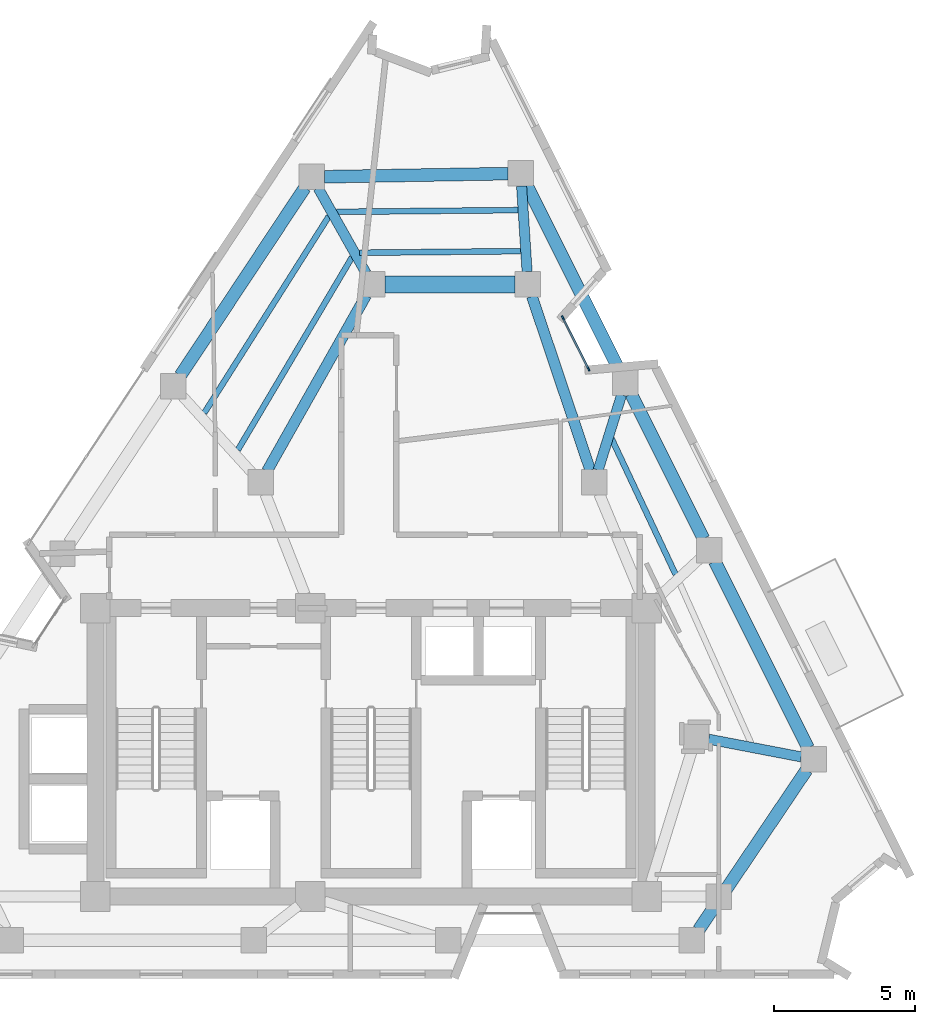
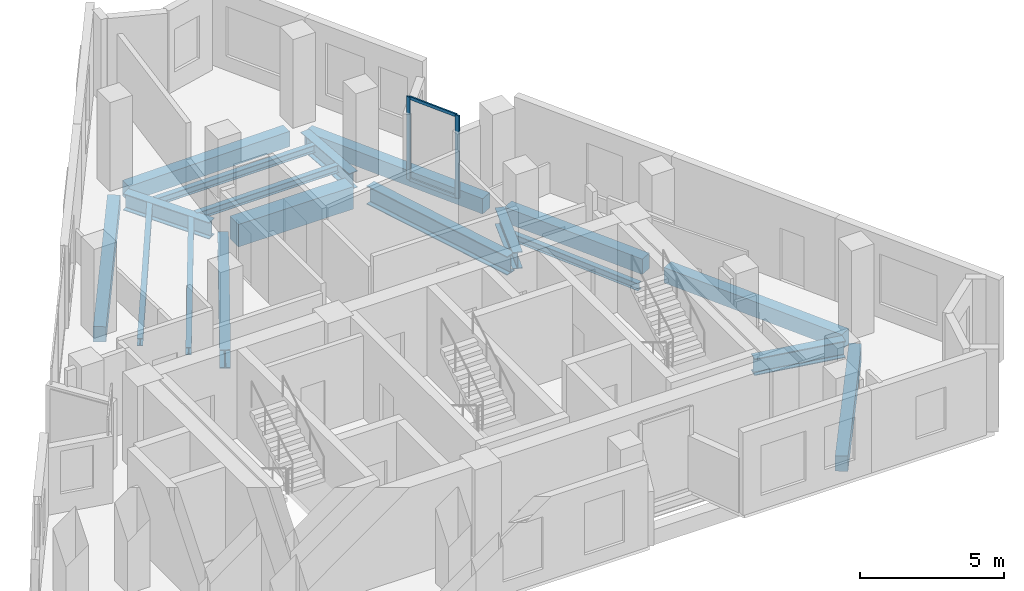
# One storey, part 3 of 9: 18 beams, 4 members, 1 element without a shape of its own.
"""IFC4 building model written with IfcOpenShell, lengths in metres."""

import ifcopenshell
import ifcopenshell.guid

model = None  # the IFC model being written
_history = None  # IfcOwnerHistory: only IFC2X3 demands one
_inside = {}  # id of a spatial element -> (the spatial element, [elements in it])
_under = {}  # id of a project, library or spatial element -> (it, [spatial elements below it])
_declared = {}  # id of a project -> (the project, [libraries it declares])
_typed = {}  # id of a type object -> (the type object, [elements of that type])
_made_of = {}  # id of a material, layer set ... -> (it, [elements and type objects made of it])


def new_model(schema):
    """Start an empty IFC model of exactly this schema.

    Asked for "IFC4X3", IfcOpenShell would pick the latest addendum, in which some entities
    have other attributes; the version numbers below select the first issue.
    IFC2X3 requires an IfcOwnerHistory on every rooted entity: one is made here for all.
    """
    global model, _history
    if schema == "IFC4X3":
        model = ifcopenshell.file(schema_version=(4, 3, 0, 0))
    else:
        model = ifcopenshell.file(schema=schema)
    _inside.clear()
    _under.clear()
    _declared.clear()
    _typed.clear()
    _made_of.clear()
    _history = None
    if model.schema == "IFC2X3":
        org = make("IfcOrganization", Name="unknown")
        user = make(
            "IfcPersonAndOrganization",
            ThePerson=make("IfcPerson", FamilyName="unknown"),
            TheOrganization=org,
        )
        app = make(
            "IfcApplication",
            ApplicationDeveloper=org,
            Version="unknown",
            ApplicationFullName="unknown",
            ApplicationIdentifier="unknown",
        )
        _history = make(
            "IfcOwnerHistory",
            OwningUser=user,
            OwningApplication=app,
            ChangeAction="ADDED",
            CreationDate=0,
        )
    return model


def make(cls, **values):
    """One entity of the class cls with the attributes given. An attribute that is None is left unset."""
    return model.create_entity(
        cls, **{name: value for name, value in values.items() if value is not None}
    )


def rooted(cls, **values):
    """An entity with a GlobalId (a new one), such as an element, a storey or a relation."""
    return make(cls, GlobalId=ifcopenshell.guid.new(), OwnerHistory=_history, **values)


def si_unit(unit_type, name, prefix=None):
    """IfcSIUnit, for example si_unit("LENGTHUNIT", "METRE", prefix="MILLI")."""
    return make("IfcSIUnit", UnitType=unit_type, Prefix=prefix, Name=name)


def assignment(units):
    """IfcUnitAssignment: the units of a project."""
    return None if units is None else make("IfcUnitAssignment", Units=units)


def point(xyz):
    """IfcCartesianPoint."""
    return None if xyz is None else make("IfcCartesianPoint", Coordinates=xyz)


def direction(xyz):
    """IfcDirection."""
    return None if xyz is None else make("IfcDirection", DirectionRatios=xyz)


def frame(location, z_axis=None, x_axis=None):
    """IfcAxis2Placement3D, a coordinate frame: its origin and axes. An axis left out is left unset."""
    return make(
        "IfcAxis2Placement3D",
        Location=point(location),
        Axis=direction(z_axis),
        RefDirection=direction(x_axis),
    )


def frame_2d(location, x_axis=None):
    """IfcAxis2Placement2D, a coordinate frame in the plane: its origin and x axis."""
    return make(
        "IfcAxis2Placement2D", Location=point(location), RefDirection=direction(x_axis)
    )


def origin():
    """The frame at (0, 0, 0) with its axes left unset."""
    return frame((0.0, 0.0, 0.0))


def origin_2d():
    """The frame at (0, 0) in the plane with its x axis left unset."""
    return frame_2d((0.0, 0.0))


def place(relative_to, where):
    """IfcLocalPlacement: puts the frame where relative to a parent placement (None: the world)."""
    return make(
        "IfcLocalPlacement", PlacementRelTo=relative_to, RelativePlacement=where
    )


def context(
    kind, dimensions, precision=None, world=None, true_north=None, identifier=None
):
    """IfcGeometricRepresentationContext, for example the 3D "Model" context."""
    return make(
        "IfcGeometricRepresentationContext",
        ContextIdentifier=identifier,
        ContextType=kind,
        CoordinateSpaceDimension=dimensions,
        Precision=precision,
        WorldCoordinateSystem=world,
        TrueNorth=true_north,
    )


def subcontext(parent, identifier, kind, view, scale=None):
    """IfcGeometricRepresentationSubContext, for example "Body" below "Model"."""
    return make(
        "IfcGeometricRepresentationSubContext",
        ContextIdentifier=identifier,
        ContextType=kind,
        ParentContext=parent,
        TargetScale=scale,
        TargetView=view,
    )


def project(units=None, contexts=None):
    """IfcProject with its units and contexts."""
    return rooted(
        "IfcProject",
        Name="project",
        RepresentationContexts=contexts,
        UnitsInContext=assignment(units),
    )


def spatial(cls, under=None, at=None, **own):
    """A site, building, storey or space (cls), placed at a placement, below another one or the project."""
    s = rooted(cls, ObjectPlacement=at, **own)
    if under is not None:
        _under.setdefault(under.id(), (under, []))[1].append(s)
    return s


def profile(cls, at=None, kind="AREA", **sizes):
    """A parametric profile (cls). Its sizes go by their IFC names, for example OverallWidth=200.0."""
    return make(cls, ProfileType=kind, Position=at, **sizes)


def rectangle(**sizes):
    """IfcRectangleProfileDef."""
    return profile("IfcRectangleProfileDef", **sizes)


def i_section(**sizes):
    """IfcIShapeProfileDef."""
    return profile("IfcIShapeProfileDef", **sizes)


def extrude(swept, where, along, depth):
    """IfcExtrudedAreaSolid: the profile swept, set in the frame where, extruded along a direction by depth."""
    return make(
        "IfcExtrudedAreaSolid",
        SweptArea=swept,
        Position=where,
        ExtrudedDirection=direction(along),
        Depth=depth,
    )


def shape(context_of_items, identifier, shape_type, items):
    """IfcShapeRepresentation: the items that make up one representation, for example the "Body"."""
    return make(
        "IfcShapeRepresentation",
        ContextOfItems=context_of_items,
        RepresentationIdentifier=identifier,
        RepresentationType=shape_type,
        Items=items,
    )


def material(Name=None, Category=None):
    """IfcMaterial."""
    return make("IfcMaterial", Name=Name, Category=Category)


def layer(
    of_material, thickness, ventilated=None, Name=None, Category=None, Priority=None
):
    """IfcMaterialLayer: one layer of a wall or slab, of a material (None: an air gap)."""
    return make(
        "IfcMaterialLayer",
        Material=of_material,
        LayerThickness=thickness,
        IsVentilated=ventilated,
        Name=Name,
        Category=Category,
        Priority=Priority,
    )


def layer_set(layers, Name=None):
    """IfcMaterialLayerSet."""
    return make("IfcMaterialLayerSet", MaterialLayers=layers, LayerSetName=Name)


def material_profile(
    of_material, cross_section, Name=None, Category=None, Priority=None
):
    """IfcMaterialProfile: a cross section and its material."""
    return make(
        "IfcMaterialProfile",
        Name=Name,
        Material=of_material,
        Profile=cross_section,
        Priority=Priority,
        Category=Category,
    )


def profile_set(profiles, Name=None, composite=None):
    """IfcMaterialProfileSet."""
    return make(
        "IfcMaterialProfileSet",
        Name=Name,
        MaterialProfiles=profiles,
        CompositeProfile=composite,
    )


def made_of(thing, what):
    """Note that an element or type object is made of a material, layer set ...; save() writes the relation."""
    if what is not None:
        _made_of.setdefault(what.id(), (what, []))[1].append(thing)
    return thing


def type_object(cls, material=None, **own):
    """A type object (cls), such as IfcWallType, which elements share."""
    return made_of(rooted(cls, **own), material)


def element(
    cls,
    number,
    at=None,
    inside=None,
    cuts=None,
    type_object=None,
    material=None,
    context=None,
    identifier="Body",
    shape_type=None,
    held_by="IfcProductDefinitionShape",
    body=None,
    shapes=None,
    **own,
):
    """One element of the class cls, such as IfcWall. Its Tag is "e" and its number.

    at: its placement. inside: the storey or other place that contains it. cuts: it is an
    opening in that element (IfcRelVoidsElement). A single representation is given by context,
    identifier, shape_type and body (its items); several are given by shapes. held_by: the class
    of the entity that holds the representations. save() writes the other relations.
    """
    e = rooted(cls, Tag="e%d" % number, ObjectPlacement=at, **own)
    if body is not None:
        shapes = [shape(context, identifier, shape_type, body)]
    if shapes is not None:
        e.Representation = make(held_by, Representations=shapes)
    if inside is not None:
        _inside.setdefault(inside.id(), (inside, []))[1].append(e)
    if cuts is not None:
        rooted(
            "IfcRelVoidsElement", RelatingBuildingElement=cuts, RelatedOpeningElement=e
        )
    if type_object is not None:
        _typed.setdefault(type_object.id(), (type_object, []))[1].append(e)
    return made_of(e, material)


def aggregate(whole, parts):
    """IfcRelAggregates: a whole, such as a stair, and the parts it consists of."""
    return rooted("IfcRelAggregates", RelatingObject=whole, RelatedObjects=parts)


def save(model, path):
    """Write the relations noted so far, then the file.

    IfcRelAggregates (storeys below a building ...), IfcRelContainedInSpatialStructure (elements
    in a storey), IfcRelDefinesByType, IfcRelAssociatesMaterial and IfcRelDeclares: one each for
    every whole, place, type object, material and project.
    """
    for whole, parts in _under.values():
        aggregate(whole, parts)
    for where, things in _inside.values():
        rooted(
            "IfcRelContainedInSpatialStructure",
            RelatedElements=things,
            RelatingStructure=where,
        )
    for kind, things in _typed.values():
        rooted("IfcRelDefinesByType", RelatedObjects=things, RelatingType=kind)
    for what, things in _made_of.values():
        rooted("IfcRelAssociatesMaterial", RelatedObjects=things, RelatingMaterial=what)
    for by, libraries in _declared.values():
        rooted("IfcRelDeclares", RelatingContext=by, RelatedDefinitions=libraries)
    model.write(path)


model = new_model("IFC4")

# Units and contexts
model_context = context("Model", 3, precision=1e-05, world=origin(), true_north=direction((0.0, 1.0)))
body_context = subcontext(model_context, "Body", "Model", "MODEL_VIEW")
ifc_project = project(units=[si_unit("LENGTHUNIT", "METRE"), si_unit("AREAUNIT", "SQUARE_METRE"), si_unit("VOLUMEUNIT", "CUBIC_METRE"), si_unit("PLANEANGLEUNIT", "RADIAN"), si_unit("MASSUNIT", "GRAM", prefix="KILO")], contexts=[model_context])

# Site, building, storey
site_placement = place(None, origin())
site = spatial("IfcSite", under=ifc_project, at=site_placement, CompositionType="ELEMENT")
building_placement = place(site_placement, origin())
building = spatial("IfcBuilding", under=site, at=building_placement, Name="Almagre Mirador Tower", CompositionType="ELEMENT")
storey_placement = place(building_placement, frame((0.0, 0.0, 267.0)))
storey = spatial("IfcBuildingStorey", under=building, at=storey_placement, Name="L69", CompositionType="ELEMENT", Elevation=267.0)

# Beams
ifc_material_1 = material(Name="Steel ASTM A992 Grade 50", Category="steel")
ifc_material_profile_1 = material_profile(ifc_material_1, i_section(OverallWidth=0.205078125, OverallDepth=0.31005859375, WebThickness=0.009521484375, FlangeThickness=0.016357421875, FilletRadius=0.013916015625, at=origin_2d()), Name="W12X50")
ifc_profile_set_1 = profile_set([ifc_material_profile_1], Name="Steel ASTM A992 Grade 50")
beam_type_1 = type_object("IfcBeamType", Name="BM-JST-W12X50", PredefinedType="JOIST", material=ifc_profile_set_1)
beam_1_placement = place(storey_placement, frame((48.07470703125, 15.936279296875, -0.405029296875), z_axis=(-0.426265744404, 0.904597985377, 0.0), x_axis=(-0.904597985377, -0.426265744404, 0.0)))
element("IfcBeam", 1, at=beam_1_placement, inside=storey, type_object=beam_type_1, Name="L69 secondary floor joist PC06-PC07.2", PredefinedType="JOIST", context=body_context, shape_type="SweptSolid", body=[
    extrude(i_section(OverallWidth=0.205078125, OverallDepth=0.31005859375, WebThickness=0.009521484375, FlangeThickness=0.016357421875, FilletRadius=0.013916015625, at=origin_2d()), origin(), (0.0, 0.0, 1.0), 5.3173828125),
])
beam_2_placement = place(storey_placement, frame((42.501708984375, 28.8251953125, -0.405029296875), z_axis=(-0.999953288653, -0.009665428698, 0.0), x_axis=(0.009665428698, -0.999953288653, 0.0)))
element("IfcBeam", 2, at=beam_2_placement, inside=storey, type_object=beam_type_1, Name="L69 secondary floor joist PC08-PC09.1", PredefinedType="JOIST", context=body_context, shape_type="SweptSolid", body=[
    extrude(i_section(OverallWidth=0.205078125, OverallDepth=0.31005859375, WebThickness=0.009521484375, FlangeThickness=0.016357421875, FilletRadius=0.013916015625, at=origin_2d()), origin(), (0.0, 0.0, 1.0), 6.415771484375),
])
beam_3_placement = place(storey_placement, frame((42.59521484375, 27.373291015625, -0.405029296875), z_axis=(-0.99995095938, -0.009903475888, 0.0), x_axis=(0.009903475888, -0.99995095938, 0.0)))
element("IfcBeam", 3, at=beam_3_placement, inside=storey, type_object=beam_type_1, Name="L69 secondary floor joist PC08-PC09.3", PredefinedType="JOIST", context=body_context, shape_type="SweptSolid", body=[
    extrude(i_section(OverallWidth=0.205078125, OverallDepth=0.31005859375, WebThickness=0.009521484375, FlangeThickness=0.016357421875, FilletRadius=0.013916015625, at=origin_2d()), origin(), (0.0, 0.0, 1.0), 5.694580078125),
])
beam_4_placement = place(storey_placement, frame((35.811279296875, 28.610107421875, -0.405029296875), z_axis=(-0.534950539194, -0.844883376932, 0.0), x_axis=(0.844883376932, -0.534950539194, 0.0)))
element("IfcBeam", 4, at=beam_4_placement, inside=storey, type_object=beam_type_1, Name="L69 secondary floor joist PC09-PC10.1", PredefinedType="JOIST", context=body_context, shape_type="SweptSolid", body=[
    extrude(i_section(OverallWidth=0.205078125, OverallDepth=0.31005859375, WebThickness=0.009521484375, FlangeThickness=0.016357421875, FilletRadius=0.013916015625, at=origin_2d()), origin(), (0.0, 0.0, 1.0), 8.2373046875),
])
beam_5_placement = place(storey_placement, frame((36.630615234375, 27.1611328125, -0.405029296875), z_axis=(-0.509571838607, -0.860428115126, 0.0), x_axis=(0.860428115126, -0.509571838607, 0.0)))
element("IfcBeam", 5, at=beam_5_placement, inside=storey, type_object=beam_type_1, Name="L69 secondary floor joist PC09-PC10.3", PredefinedType="JOIST", context=body_context, shape_type="SweptSolid", body=[
    extrude(i_section(OverallWidth=0.205078125, OverallDepth=0.31005859375, WebThickness=0.009521484375, FlangeThickness=0.016357421875, FilletRadius=0.013916015625, at=origin_2d()), origin(), (0.0, 0.0, 1.0), 7.925048828125),
])
ifc_material_2 = material(Name="Concrete C60/75", Category="concrete")
ifc_material_profile_2 = material_profile(ifc_material_2, rectangle(XDim=0.60009765625, YDim=0.949951171875, at=origin_2d()), Name="RC600X950")
ifc_profile_set_2 = profile_set([ifc_material_profile_2], Name="Concrete C60/75")
beam_type_2 = type_object("IfcBeamType", Name="BM-LIN-RC600X950", PredefinedType="LINTEL", material=ifc_profile_set_2)
beam_6_placement = place(storey_placement, frame((37.800048828125, 26.199951171875, -0.72509765625), z_axis=(1.0, 0.0, 0.0), x_axis=(0.0, 1.0, 0.0)))
element("IfcBeam", 6, at=beam_6_placement, inside=storey, type_object=beam_type_2, Name="L69 coupled header lintel LN-01", PredefinedType="LINTEL", context=body_context, shape_type="SweptSolid", body=[
    extrude(rectangle(XDim=0.60009765625, YDim=0.949951171875, at=origin_2d()), origin(), (0.0, 0.0, 1.0), 4.599853515625),
])
ifc_material_3 = material(Name="Precast concrete C50/60", Category="concrete")
ifc_material_profile_3 = material_profile(ifc_material_3, rectangle(XDim=0.449951171875, YDim=0.64990234375, at=origin_2d()), Name="RC450X650")
ifc_profile_set_3 = profile_set([ifc_material_profile_3], Name="Precast concrete C50/60")
beam_type_3 = type_object("IfcBeamType", Name="BM-SPN-RC450X650", PredefinedType="SPANDREL", material=ifc_profile_set_3)
beam_7_placement = place(storey_placement, frame((48.8916015625, 3.373046875, -0.574951171875), z_axis=(0.559011807763, 0.829159694378, 0.0), x_axis=(-0.829159694378, 0.559011807763, 0.0)))
element("IfcBeam", 7, at=beam_7_placement, inside=storey, type_object=beam_type_3, Name="L69 perimeter spandrel beam PC04-PC05", PredefinedType="SPANDREL", context=body_context, shape_type="SweptSolid", body=[
    extrude(rectangle(XDim=0.449951171875, YDim=0.64990234375, at=origin_2d()), origin(), (0.0, 0.0, 1.0), 6.822265625),
])
beam_8_placement = place(storey_placement, frame((52.755859375, 9.805419921875, -0.574951171875), z_axis=(-0.447226839749, 0.894420568753, 0.0), x_axis=(-0.894420568753, -0.447226839749, 0.0)))
element("IfcBeam", 8, at=beam_8_placement, inside=storey, type_object=beam_type_3, Name="L69 perimeter spandrel beam PC05-PC06", PredefinedType="SPANDREL", context=body_context, shape_type="SweptSolid", body=[
    extrude(rectangle(XDim=0.449951171875, YDim=0.64990234375, at=origin_2d()), origin(), (0.0, 0.0, 1.0), 7.37353515625),
])
beam_9_placement = place(storey_placement, frame((49.055908203125, 17.20556640625, -0.574951171875), z_axis=(-0.447230671809, 0.894418652642, 0.0), x_axis=(-0.894418652642, -0.447230671809, 0.0)))
element("IfcBeam", 9, at=beam_9_placement, inside=storey, type_object=beam_type_3, Name="L69 perimeter spandrel beam PC06-PC07", PredefinedType="SPANDREL", context=body_context, shape_type="SweptSolid", body=[
    extrude(rectangle(XDim=0.449951171875, YDim=0.64990234375, at=origin_2d()), origin(), (0.0, 0.0, 1.0), 5.71875),
])
beam_10_placement = place(storey_placement, frame((46.095703125, 23.12548828125, -0.574951171875), z_axis=(-0.447226839749, 0.894420568753, 0.0), x_axis=(-0.894420568753, -0.447226839749, 0.0)))
element("IfcBeam", 10, at=beam_10_placement, inside=storey, type_object=beam_type_3, Name="L69 perimeter spandrel beam PC07-PC08", PredefinedType="SPANDREL", context=body_context, shape_type="SweptSolid", body=[
    extrude(rectangle(XDim=0.449951171875, YDim=0.64990234375, at=origin_2d()), origin(), (0.0, 0.0, 1.0), 7.37353515625),
])
beam_11_placement = place(storey_placement, frame((42.147216796875, 30.115234375, -0.574951171875), z_axis=(-0.999854670426, -0.017048109218, 0.0), x_axis=(0.017048109218, -0.999854670426, 0.0)))
element("IfcBeam", 11, at=beam_11_placement, inside=storey, type_object=beam_type_3, Name="L69 perimeter spandrel beam PC08-PC09", PredefinedType="SPANDREL", context=body_context, shape_type="SweptSolid", body=[
    extrude(rectangle(XDim=0.449951171875, YDim=0.64990234375, at=origin_2d()), origin(), (0.0, 0.0, 1.0), 6.4873046875),
])
beam_12_placement = place(storey_placement, frame((34.962646484375, 29.621826171875, -0.574951171875), z_axis=(-0.55211200974, -0.833769949507, 0.0), x_axis=(0.833769949507, -0.55211200974, 0.0)))
element("IfcBeam", 12, at=beam_12_placement, inside=storey, type_object=beam_type_3, Name="L69 perimeter spandrel beam PC09-PC10", PredefinedType="SPANDREL", context=body_context, shape_type="SweptSolid", body=[
    extrude(rectangle(XDim=0.449951171875, YDim=0.64990234375, at=origin_2d()), origin(), (0.0, 0.0, 1.0), 7.975341796875),
])
ifc_material_4 = material(Name="Steel ASTM A992 Grade 50", Category="steel")
ifc_material_profile_4 = material_profile(ifc_material_4, i_section(OverallWidth=0.35791015625, OverallDepth=0.7060546875, WebThickness=0.018310546875, FlangeThickness=0.0302734375, FilletRadius=0.02197265625, at=origin_2d()), Name="W27X178")
ifc_profile_set_4 = profile_set([ifc_material_profile_4], Name="Steel ASTM A992 Grade 50")
beam_type_4 = type_object("IfcBeamType", Name="BM-STL-W27X178", PredefinedType="BEAM", material=ifc_profile_set_4)
beam_13_placement = place(storey_placement, frame((52.514892578125, 9.48779296875, -0.60302734375), z_axis=(-0.982116013596, 0.188276753315, 0.0), x_axis=(-0.188276753315, -0.982116013596, 0.0)))
element("IfcBeam", 13, at=beam_13_placement, inside=storey, type_object=beam_type_4, Name="L69 radial floor girder PC05-MC3", PredefinedType="BEAM", context=body_context, shape_type="SweptSolid", body=[
    extrude(i_section(OverallWidth=0.35791015625, OverallDepth=0.7060546875, WebThickness=0.018310546875, FlangeThickness=0.0302734375, FilletRadius=0.02197265625, at=origin_2d()), origin(), (0.0, 0.0, 1.0), 3.33251953125),
])
beam_14_placement = place(storey_placement, frame((46.1630859375, 22.293212890625, -0.60302734375), z_axis=(-0.297288188683, -0.95478779468, 0.0), x_axis=(0.95478779468, -0.297288188683, 0.0)))
element("IfcBeam", 14, at=beam_14_placement, inside=storey, type_object=beam_type_4, Name="L69 radial floor girder PC07-MC5", PredefinedType="BEAM", context=body_context, shape_type="SweptSolid", body=[
    extrude(i_section(OverallWidth=0.35791015625, OverallDepth=0.7060546875, WebThickness=0.018310546875, FlangeThickness=0.0302734375, FilletRadius=0.02197265625, at=origin_2d()), origin(), (0.0, 0.0, 1.0), 2.789794921875),
])
beam_15_placement = place(storey_placement, frame((42.6259765625, 29.673828125, -0.60302734375), z_axis=(0.064358989598, -0.997926811173, 0.0), x_axis=(0.997926811173, 0.064358989598, 0.0)))
element("IfcBeam", 15, at=beam_15_placement, inside=storey, type_object=beam_type_4, Name="L69 radial floor girder PC08-MC6", PredefinedType="BEAM", context=body_context, shape_type="SweptSolid", body=[
    extrude(i_section(OverallWidth=0.35791015625, OverallDepth=0.7060546875, WebThickness=0.018310546875, FlangeThickness=0.0302734375, FilletRadius=0.02197265625, at=origin_2d()), origin(), (0.0, 0.0, 1.0), 3.031005859375),
])
beam_16_placement = place(storey_placement, frame((35.431884765625, 29.60498046875, -0.60302734375), z_axis=(0.490807503583, -0.871268038222, 0.0), x_axis=(0.871268038222, 0.490807503583, 0.0)))
element("IfcBeam", 16, at=beam_16_placement, inside=storey, type_object=beam_type_4, Name="L69 radial floor girder PC09-MC7", PredefinedType="BEAM", context=body_context, shape_type="SweptSolid", body=[
    extrude(i_section(OverallWidth=0.35791015625, OverallDepth=0.7060546875, WebThickness=0.018310546875, FlangeThickness=0.0302734375, FilletRadius=0.02197265625, at=origin_2d()), origin(), (0.0, 0.0, 1.0), 3.4580078125),
])
ifc_material_5 = material(Name="Steel ASTM A992 Grade 50", Category="steel")
ifc_material_profile_5 = material_profile(ifc_material_5, i_section(OverallWidth=0.384033203125, OverallDepth=0.784912109375, WebThickness=0.019775390625, FlangeThickness=0.033447265625, FilletRadius=0.02392578125, at=origin_2d()), Name="W30X211")
ifc_profile_set_5 = profile_set([ifc_material_profile_5], Name="Steel ASTM A992 Grade 50")
beam_type_5 = type_object("IfcBeamType", Name="BM-STL-W30X211", PredefinedType="BEAM", material=ifc_profile_set_5)
beam_17_placement = place(storey_placement, frame((42.9931640625, 25.7734375, -0.642578125), z_axis=(0.318282890726, -0.947995781357, 0.0), x_axis=(0.947995781357, 0.318282890726, 0.0)))
element("IfcBeam", 17, at=beam_17_placement, inside=storey, type_object=beam_type_5, Name="L69 core tie girder MC6-MC5", PredefinedType="BEAM", context=body_context, shape_type="SweptSolid", body=[
    extrude(i_section(OverallWidth=0.384033203125, OverallDepth=0.784912109375, WebThickness=0.019775390625, FlangeThickness=0.033447265625, FilletRadius=0.02392578125, at=origin_2d()), origin(), (0.0, 0.0, 1.0), 6.48388671875),
])
beam_18_placement = place(storey_placement, frame((37.12890625, 25.80810546875, -0.642578125), z_axis=(-0.491446261843, -0.870907900825, 0.0), x_axis=(0.870907900825, -0.491446261843, 0.0)))
element("IfcBeam", 18, at=beam_18_placement, inside=storey, type_object=beam_type_5, Name="L69 core tie girder MC7-MC8", PredefinedType="BEAM", context=body_context, shape_type="SweptSolid", body=[
    extrude(i_section(OverallWidth=0.384033203125, OverallDepth=0.784912109375, WebThickness=0.019775390625, FlangeThickness=0.033447265625, FilletRadius=0.02392578125, at=origin_2d()), origin(), (0.0, 0.0, 1.0), 7.1376953125),
])

# Curtain wall, members
ifc_material_6 = material(Name="Black anodized aluminium", Category="aluminium")
ifc_layer = layer(ifc_material_6, 0.169921875)
ifc_layer_set = layer_set([ifc_layer], Name="Black anodized aluminium")
curtain_wall_type = type_object("IfcCurtainWallType", Name="CW-CRS-SYS", PredefinedType="NOTDEFINED", material=ifc_layer_set)
curtain_wall_placement = place(storey_placement, origin())
curtain_wall = element("IfcCurtainWall", 19, at=curtain_wall_placement, inside=storey, type_object=curtain_wall_type, Name="L69 vertical crease curtain wall 03", PredefinedType="NOTDEFINED")
ifc_material_7 = material(Name="Black anodized aluminium", Category="aluminium")
ifc_material_profile_6 = material_profile(ifc_material_7, rectangle(XDim=0.06005859375, YDim=0.14990234375, at=origin_2d()), Name="CWM60X150")
ifc_profile_set_6 = profile_set([ifc_material_profile_6], Name="Black anodized aluminium")
member_type_1 = type_object("IfcMemberType", Name="MBR-CWM60X150", PredefinedType="MULLION", material=ifc_profile_set_6)
member_1_placement = place(storey_placement, frame((44.08544921875, 25.021240234375, 0.0), z_axis=(0.0, 0.0, 1.0), x_axis=(0.894331468918, 0.447404988464, 0.0)))
member_1 = element("IfcMember", 20, at=member_1_placement, type_object=member_type_1, Name="CW-4 mullion 1", PredefinedType="MULLION", context=body_context, shape_type="SweptSolid", body=[
    extrude(rectangle(XDim=0.06005859375, YDim=0.14990234375, at=origin_2d()), origin(), (0.0, 0.0, 1.0), 3.5),
])
member_2_placement = place(storey_placement, frame((44.99365234375, 23.205810546875, 0.0), z_axis=(0.0, 0.0, 1.0), x_axis=(0.894331468918, 0.447404988464, 0.0)))
member_2 = element("IfcMember", 21, at=member_2_placement, type_object=member_type_1, Name="CW-4 mullion 2", PredefinedType="MULLION", context=body_context, shape_type="SweptSolid", body=[
    extrude(rectangle(XDim=0.06005859375, YDim=0.14990234375, at=origin_2d()), origin(), (0.0, 0.0, 1.0), 3.5),
])
ifc_material_8 = material(Name="Black anodized aluminium", Category="aluminium")
ifc_material_profile_7 = material_profile(ifc_material_8, rectangle(XDim=0.06005859375, YDim=0.1298828125, at=origin_2d()), Name="CWT60X130")
ifc_profile_set_7 = profile_set([ifc_material_profile_7], Name="Black anodized aluminium")
member_type_2 = type_object("IfcMemberType", Name="MBR-CWT60X130", PredefinedType="USERDEFINED", material=ifc_profile_set_7)
member_3_placement = place(storey_placement, frame((44.098876953125, 24.994384765625, 0.030029296875), z_axis=(0.447411883405, -0.89432801957, 0.0), x_axis=(0.89432801957, 0.447411883405, 0.0)))
member_3 = element("IfcMember", 22, at=member_3_placement, type_object=member_type_2, Name="CW-4 transom 1.1", ObjectType="TRANSOM", PredefinedType="USERDEFINED", context=body_context, shape_type="SweptSolid", body=[
    extrude(rectangle(XDim=0.06005859375, YDim=0.1298828125, at=origin_2d()), origin(), (0.0, 0.0, 1.0), 1.969970703125),
])
member_4_placement = place(storey_placement, frame((44.098876953125, 24.994384765625, 3.469970703125), z_axis=(0.447411883405, -0.89432801957, 0.0), x_axis=(0.89432801957, 0.447411883405, 0.0)))
member_4 = element("IfcMember", 23, at=member_4_placement, type_object=member_type_2, Name="CW-4 transom 1.2", ObjectType="TRANSOM", PredefinedType="USERDEFINED", context=body_context, shape_type="SweptSolid", body=[
    extrude(rectangle(XDim=0.06005859375, YDim=0.1298828125, at=origin_2d()), origin(), (0.0, 0.0, 1.0), 1.969970703125),
])
aggregate(curtain_wall, [member_1, member_2, member_3, member_4])

save(model, "model.ifc")
